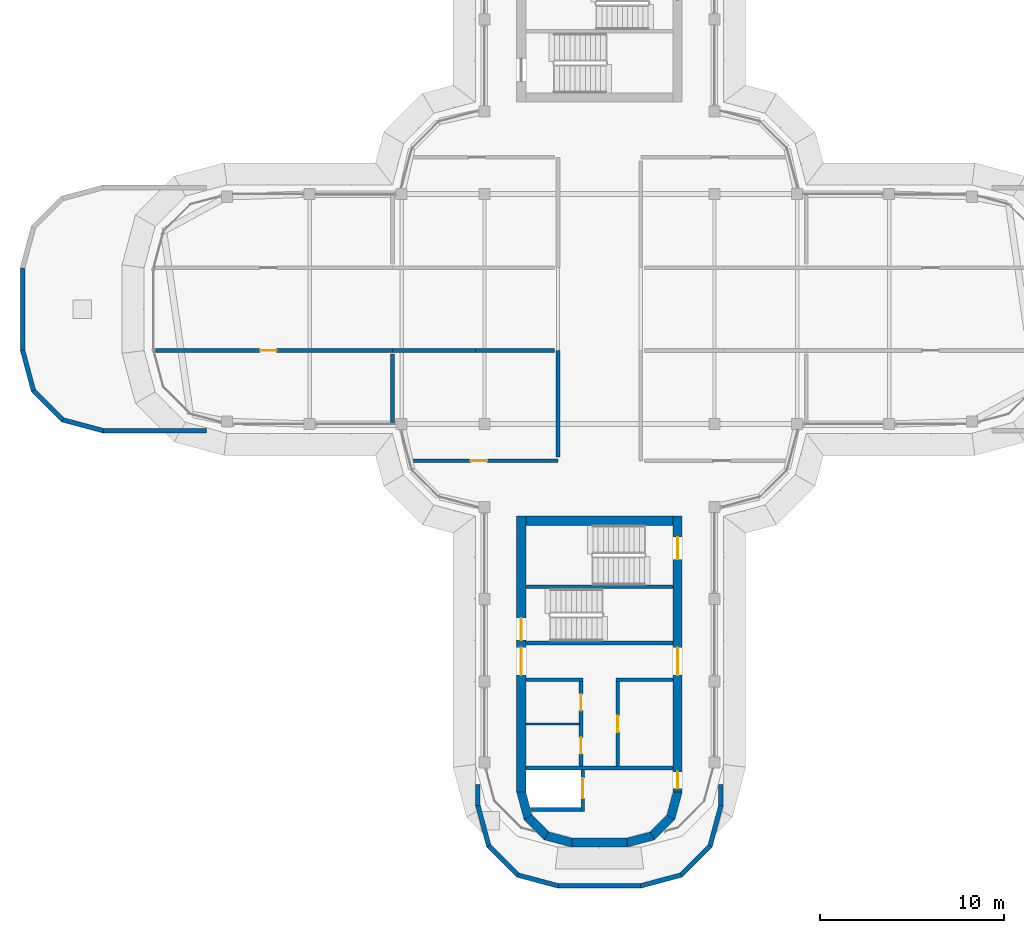
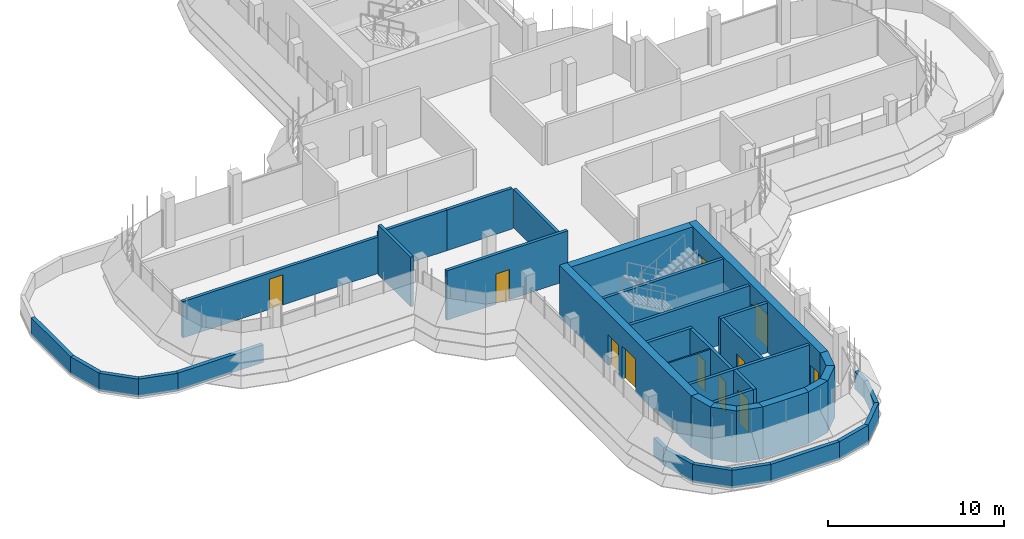
# One storey, part 13 of 20: 40 walls, 11 doors, 11 openings.
"""IFC4 building model written with IfcOpenShell, lengths in metres."""

from ifc_helpers import new_model, si_unit, direction, frame, frame_2d, origin, place, context, subcontext, project, spatial, polyline, rectangle, outline, extrude, material, layer, layer_set, type_object, element, fill, save


model = new_model("IFC4")

# Units and contexts
model_context = context("Model", 3, precision=1e-05, world=origin(), true_north=direction((0.0, 1.0)))
body_context = subcontext(model_context, "Body", "Model", "MODEL_VIEW")
ifc_project = project(units=[si_unit("LENGTHUNIT", "METRE"), si_unit("AREAUNIT", "SQUARE_METRE"), si_unit("VOLUMEUNIT", "CUBIC_METRE"), si_unit("PLANEANGLEUNIT", "RADIAN"), si_unit("MASSUNIT", "GRAM", prefix="KILO")], contexts=[model_context])

# Site, building, storey
site_placement = place(None, origin())
site = spatial("IfcSite", under=ifc_project, at=site_placement, CompositionType="ELEMENT")
building_placement = place(site_placement, origin())
building = spatial("IfcBuilding", under=site, at=building_placement, Name="Zarbagh Exchange Tower", CompositionType="ELEMENT")
storey_placement = place(building_placement, frame((0.0, 0.0, 291.60009765625)))
storey = spatial("IfcBuildingStorey", under=building, at=storey_placement, Name="L71", CompositionType="ELEMENT", Elevation=291.60009765625)

# Wall
ifc_material_1 = material(Name="Dense blockwork", Category="masonry")
ifc_layer_1 = layer(ifc_material_1, 0.10009765625)
ifc_layer_set_1 = layer_set([ifc_layer_1], Name="Core partition 100 mm blockwork")
wall_type_1 = type_object("IfcWallType", Name="Core partition 100 mm blockwork", PredefinedType="PARTITIONING", material=ifc_layer_set_1)
wall_1_placement = place(storey_placement, frame((-1.10009765625, -22.550048828125, 0.0), z_axis=(0.0, 0.0, 1.0), x_axis=(-1.0, 0.0, 0.0)))
element("IfcWall", 1, at=wall_1_placement, inside=storey, type_object=wall_type_1, Name="South core partition wall CUT-E-580", PredefinedType="PARTITIONING", context=body_context, shape_type="SweptSolid", body=[
    extrude(rectangle(XDim=2.89990234375, YDim=0.10009765625, at=frame_2d((1.449951171875, 0.0))), origin(), (0.0, 0.0, 1.0), 3.449951171875),
])

# Wall, opening, door
ifc_material_2 = material(Name="Concrete block partition", Category="concrete")
ifc_layer_2 = layer(ifc_material_2, 0.199951171875)
ifc_layer_set_2 = layer_set([ifc_layer_2], Name="Fire-rated block partition 200 EI 60")
wall_type_2 = type_object("IfcWallType", Name="Fire-rated block partition 200 EI 60", PredefinedType="PARTITIONING", material=ifc_layer_set_2)
wall_2_placement = place(storey_placement, frame((-10.238037109375, -8.25, 0.0), z_axis=(0.0, 0.0, 1.0), x_axis=(1.0, 0.0, 0.0)))
wall_2 = element("IfcWall", 2, at=wall_2_placement, inside=storey, type_object=wall_type_2, Name="WL-L71-W007", PredefinedType="PARTITIONING", context=body_context, shape_type="SweptSolid", body=[
    extrude(rectangle(XDim=7.988037109375, YDim=0.199951171875, at=frame_2d((3.994140625, 0.0))), origin(), (0.0, 0.0, 1.0), 3.449951171875),
])
opening_1_placement = place(wall_2_placement, frame((3.239013671875, 0.0, 0.0)))
opening_1 = element("IfcOpeningElement", 3, at=opening_1_placement, cuts=wall_2, Name="Opening D04", PredefinedType="OPENING", context=body_context, shape_type="SweptSolid", body=[
    extrude(rectangle(XDim=0.89990234375, YDim=2.10009765625, at=frame_2d((0.449951171875, 1.050048828125))), frame((0.0, 0.10986328125, 0.0), z_axis=(0.0, -1.0, 0.0), x_axis=(1.0, 0.0, 0.0)), (0.0, 0.0, 1.0), 0.219970703125),
])
ifc_material_3 = material(Name="Steel door set", Category="steel")
door_type_1 = type_object("IfcDoorType", Name="Door single 900x2100 EI 60", OperationType="SINGLE_SWING_LEFT", PredefinedType="DOOR", material=ifc_material_3)
door_1_placement = place(opening_1_placement, origin())
door_1 = element("IfcDoor", 4, at=door_1_placement, inside=storey, type_object=door_type_1, Name="D04", OperationType="SINGLE_SWING_LEFT", OverallHeight=2.10009765625, OverallWidth=0.89990234375, PredefinedType="DOOR", context=body_context, shape_type="SweptSolid", body=[
    extrude(rectangle(XDim=0.89990234375, YDim=2.10009765625, at=frame_2d((0.449951171875, 1.050048828125))), frame((0.0, 0.02490234375, 0.0), z_axis=(0.0, -1.0, 0.0), x_axis=(1.0, 0.0, 0.0)), (0.0, 0.0, 1.0), 0.050048828125),
])
fill(opening_1, door_1)

# Walls
wall_3_placement = place(storey_placement, frame((-2.25, -8.050048828125, 0.0), z_axis=(0.0, 0.0, 1.0), x_axis=(0.0, 1.0, 0.0)))
element("IfcWall", 5, at=wall_3_placement, inside=storey, type_object=wall_type_2, Name="WL-L71-W008", PredefinedType="PARTITIONING", context=body_context, shape_type="SweptSolid", body=[
    extrude(rectangle(XDim=5.800048828125, YDim=0.199951171875, at=frame_2d((2.89990234375, 0.0))), origin(), (0.0, 0.0, 1.0), 2.6806640625),
])
wall_4_placement = place(storey_placement, frame((-11.25, -2.25, 0.0), z_axis=(0.0, 0.0, 1.0), x_axis=(1.0, 0.0, 0.0)))
element("IfcWall", 6, at=wall_4_placement, inside=storey, type_object=wall_type_2, Name="WL-L71-W018", PredefinedType="PARTITIONING", context=body_context, shape_type="SweptSolid", body=[
    extrude(rectangle(XDim=4.5, YDim=0.199951171875, at=frame_2d((2.25, 0.0))), origin(), (0.0, 0.0, 1.0), 2.827880859375),
])
wall_5_placement = place(storey_placement, frame((-11.25, -6.159912109375, 0.0), z_axis=(0.0, 0.0, 1.0), x_axis=(0.0, 1.0, 0.0)))
element("IfcWall", 7, at=wall_5_placement, inside=storey, type_object=wall_type_2, Name="WL-L71-W019", PredefinedType="PARTITIONING", context=body_context, shape_type="SweptSolid", body=[
    extrude(rectangle(XDim=3.7099609375, YDim=0.199951171875, at=frame_2d((1.85498046875, 0.0))), origin(), (0.0, 0.0, 1.0), 3.449951171875),
])
wall_6_placement = place(storey_placement, frame((-6.75, -2.25, 0.0), z_axis=(0.0, 0.0, 1.0), x_axis=(1.0, 0.0, 0.0)))
element("IfcWall", 8, at=wall_6_placement, inside=storey, type_object=wall_type_2, Name="WL-L71-W020", PredefinedType="PARTITIONING", context=body_context, shape_type="SweptSolid", body=[
    extrude(rectangle(XDim=4.300048828125, YDim=0.199951171875, at=frame_2d((2.14990234375, 0.0))), origin(), (0.0, 0.0, 1.0), 2.827880859375),
])

# Wall, opening, door
wall_7_placement = place(storey_placement, frame((-11.25, -2.25, 0.0), z_axis=(0.0, 0.0, 1.0), x_axis=(-1.0, 0.0, 0.0)))
wall_7 = element("IfcWall", 9, at=wall_7_placement, inside=storey, type_object=wall_type_2, Name="WL-L71-W024", PredefinedType="PARTITIONING", context=body_context, shape_type="SweptSolid", body=[
    extrude(rectangle(XDim=12.889892578125, YDim=0.199951171875, at=frame_2d((6.44482421875, 0.0))), origin(), (0.0, 0.0, 1.0), 2.52978515625),
])
opening_2_placement = place(wall_7_placement, frame((6.300048828125, 0.0, 0.0)))
opening_2 = element("IfcOpeningElement", 10, at=opening_2_placement, cuts=wall_7, Name="Opening D08", PredefinedType="OPENING", context=body_context, shape_type="SweptSolid", body=[
    extrude(rectangle(XDim=0.89990234375, YDim=2.10009765625, at=frame_2d((0.449951171875, 1.050048828125))), frame((0.0, 0.10986328125, 0.0), z_axis=(0.0, -1.0, 0.0), x_axis=(1.0, 0.0, 0.0)), (0.0, 0.0, 1.0), 0.219970703125),
])
door_2_placement = place(opening_2_placement, origin())
door_2 = element("IfcDoor", 11, at=door_2_placement, inside=storey, type_object=door_type_1, Name="D08", OperationType="SINGLE_SWING_LEFT", OverallHeight=2.10009765625, OverallWidth=0.89990234375, PredefinedType="DOOR", context=body_context, shape_type="SweptSolid", body=[
    extrude(rectangle(XDim=0.89990234375, YDim=2.10009765625, at=frame_2d((0.449951171875, 1.050048828125))), frame((0.0, 0.02490234375, 0.0), z_axis=(0.0, -1.0, 0.0), x_axis=(1.0, 0.0, 0.0)), (0.0, 0.0, 1.0), 0.050048828125),
])
fill(opening_2, door_2)

# Walls
ifc_material_4 = material(Name="Concrete C40/50", Category="concrete")
ifc_layer_3 = layer(ifc_material_4, 0.25)
ifc_layer_set_3 = layer_set([ifc_layer_3], Name="Parapet wall, concrete C40/50")
wall_type_3 = type_object("IfcWallType", Name="Parapet wall, concrete C40/50", PredefinedType="PARAPET", material=ifc_layer_set_3)
wall_8_placement = place(storey_placement, origin())
element("IfcWall", 12, at=wall_8_placement, inside=storey, type_object=wall_type_3, Name="roof parapet", PredefinedType="PARAPET", context=body_context, shape_type="SweptSolid", body=[
    extrude(outline(polyline([(6.72998046875, -25.851318359375), (6.72998046875, -26.997314453125), (6.47998046875, -26.964599609375), (6.47998046875, -25.851318359375), (6.72998046875, -25.851318359375)])), origin(), (0.0, 0.0, 1.0), 1.219970703125),
])
wall_9_placement = place(storey_placement, origin())
element("IfcWall", 13, at=wall_9_placement, inside=storey, type_object=wall_type_3, Name="roof parapet", PredefinedType="PARAPET", context=body_context, shape_type="SweptSolid", body=[
    extrude(outline(polyline([(6.72998046875, -26.997314453125), (6.129150390625, -29.239501953125), (5.905029296875, -29.110107421875), (6.47998046875, -26.964599609375), (6.72998046875, -26.997314453125)])), origin(), (0.0, 0.0, 1.0), 1.219970703125),
])
wall_10_placement = place(storey_placement, origin())
element("IfcWall", 14, at=wall_10_placement, inside=storey, type_object=wall_type_3, Name="roof parapet", PredefinedType="PARAPET", context=body_context, shape_type="SweptSolid", body=[
    extrude(outline(polyline([(6.129150390625, -29.239501953125), (4.489501953125, -30.879150390625), (4.360107421875, -30.655029296875), (5.905029296875, -29.110107421875), (6.129150390625, -29.239501953125)])), origin(), (0.0, 0.0, 1.0), 1.219970703125),
])
wall_11_placement = place(storey_placement, origin())
element("IfcWall", 15, at=wall_11_placement, inside=storey, type_object=wall_type_3, Name="roof parapet", PredefinedType="PARAPET", context=body_context, shape_type="SweptSolid", body=[
    extrude(outline(polyline([(4.489501953125, -30.879150390625), (2.247314453125, -31.47998046875), (2.214599609375, -31.22998046875), (4.360107421875, -30.655029296875), (4.489501953125, -30.879150390625)])), origin(), (0.0, 0.0, 1.0), 1.219970703125),
])
wall_12_placement = place(storey_placement, origin())
element("IfcWall", 16, at=wall_12_placement, inside=storey, type_object=wall_type_3, Name="roof parapet", PredefinedType="PARAPET", context=body_context, shape_type="SweptSolid", body=[
    extrude(outline(polyline([(2.247314453125, -31.47998046875), (-2.247314453125, -31.47998046875), (-2.214599609375, -31.22998046875), (2.214599609375, -31.22998046875), (2.247314453125, -31.47998046875)])), origin(), (0.0, 0.0, 1.0), 1.219970703125),
])
wall_13_placement = place(storey_placement, origin())
element("IfcWall", 17, at=wall_13_placement, inside=storey, type_object=wall_type_3, Name="roof parapet", PredefinedType="PARAPET", context=body_context, shape_type="SweptSolid", body=[
    extrude(outline(polyline([(-2.247314453125, -31.47998046875), (-4.489501953125, -30.879150390625), (-4.360107421875, -30.655029296875), (-2.214599609375, -31.22998046875), (-2.247314453125, -31.47998046875)])), origin(), (0.0, 0.0, 1.0), 1.219970703125),
])
wall_14_placement = place(storey_placement, origin())
element("IfcWall", 18, at=wall_14_placement, inside=storey, type_object=wall_type_3, Name="roof parapet", PredefinedType="PARAPET", context=body_context, shape_type="SweptSolid", body=[
    extrude(outline(polyline([(-4.489501953125, -30.879150390625), (-6.129150390625, -29.239501953125), (-5.905029296875, -29.110107421875), (-4.360107421875, -30.655029296875), (-4.489501953125, -30.879150390625)])), origin(), (0.0, 0.0, 1.0), 1.219970703125),
])
wall_15_placement = place(storey_placement, origin())
element("IfcWall", 19, at=wall_15_placement, inside=storey, type_object=wall_type_3, Name="roof parapet", PredefinedType="PARAPET", context=body_context, shape_type="SweptSolid", body=[
    extrude(outline(polyline([(-6.129150390625, -29.239501953125), (-6.72998046875, -26.997314453125), (-6.47998046875, -26.964599609375), (-5.905029296875, -29.110107421875), (-6.129150390625, -29.239501953125)])), origin(), (0.0, 0.0, 1.0), 1.219970703125),
])
wall_16_placement = place(storey_placement, origin())
element("IfcWall", 20, at=wall_16_placement, inside=storey, type_object=wall_type_3, Name="roof parapet", PredefinedType="PARAPET", context=body_context, shape_type="SweptSolid", body=[
    extrude(outline(polyline([(-6.72998046875, -26.997314453125), (-6.72998046875, -25.851318359375), (-6.47998046875, -25.851318359375), (-6.47998046875, -26.964599609375), (-6.72998046875, -26.997314453125)])), origin(), (0.0, 0.0, 1.0), 1.219970703125),
])
wall_17_placement = place(storey_placement, origin())
element("IfcWall", 21, at=wall_17_placement, inside=storey, type_object=wall_type_3, Name="roof parapet", PredefinedType="PARAPET", context=body_context, shape_type="SweptSolid", body=[
    extrude(outline(polyline([(-21.351318359375, -6.72998046875), (-26.997314453125, -6.72998046875), (-26.964599609375, -6.47998046875), (-21.351318359375, -6.47998046875), (-21.351318359375, -6.72998046875)])), origin(), (0.0, 0.0, 1.0), 1.219970703125),
])
wall_18_placement = place(storey_placement, origin())
element("IfcWall", 22, at=wall_18_placement, inside=storey, type_object=wall_type_3, Name="roof parapet", PredefinedType="PARAPET", context=body_context, shape_type="SweptSolid", body=[
    extrude(outline(polyline([(-26.997314453125, -6.72998046875), (-29.239501953125, -6.129150390625), (-29.110107421875, -5.905029296875), (-26.964599609375, -6.47998046875), (-26.997314453125, -6.72998046875)])), origin(), (0.0, 0.0, 1.0), 1.219970703125),
])
wall_19_placement = place(storey_placement, origin())
element("IfcWall", 23, at=wall_19_placement, inside=storey, type_object=wall_type_3, Name="roof parapet", PredefinedType="PARAPET", context=body_context, shape_type="SweptSolid", body=[
    extrude(outline(polyline([(-29.239501953125, -6.129150390625), (-30.879150390625, -4.489501953125), (-30.655029296875, -4.360107421875), (-29.110107421875, -5.905029296875), (-29.239501953125, -6.129150390625)])), origin(), (0.0, 0.0, 1.0), 1.219970703125),
])
wall_20_placement = place(storey_placement, origin())
element("IfcWall", 24, at=wall_20_placement, inside=storey, type_object=wall_type_3, Name="roof parapet", PredefinedType="PARAPET", context=body_context, shape_type="SweptSolid", body=[
    extrude(outline(polyline([(-30.879150390625, -4.489501953125), (-31.47998046875, -2.247314453125), (-31.22998046875, -2.214599609375), (-30.655029296875, -4.360107421875), (-30.879150390625, -4.489501953125)])), origin(), (0.0, 0.0, 1.0), 1.219970703125),
])
wall_21_placement = place(storey_placement, origin())
element("IfcWall", 25, at=wall_21_placement, inside=storey, type_object=wall_type_3, Name="roof parapet", PredefinedType="PARAPET", context=body_context, shape_type="SweptSolid", body=[
    extrude(outline(polyline([(-31.47998046875, -2.247314453125), (-31.47998046875, 2.247314453125), (-31.22998046875, 2.214599609375), (-31.22998046875, -2.214599609375), (-31.47998046875, -2.247314453125)])), origin(), (0.0, 0.0, 1.0), 1.219970703125),
])
ifc_layer_4 = layer(ifc_material_4, 0.5)
ifc_layer_set_4 = layer_set([ifc_layer_4], Name="RC core corner wall 500 C40/50")
wall_type_4 = type_object("IfcWallType", Name="RC core corner wall 500 C40/50", PredefinedType="SHEAR", material=ifc_layer_set_4)
wall_22_placement = place(storey_placement, origin())
element("IfcWall", 26, at=wall_22_placement, inside=storey, type_object=wall_type_4, Name="CW10 core S corner W", PredefinedType="SHEAR", context=body_context, shape_type="SweptSolid", body=[
    extrude(outline(polyline([(-4.5, -26.25), (-4.09814453125, -27.75), (-3.6650390625, -27.5), (-4.0, -26.25), (-4.5, -26.25)])), origin(), (0.0, 0.0, 1.0), 3.599853515625),
])
wall_23_placement = place(storey_placement, origin())
element("IfcWall", 27, at=wall_23_placement, inside=storey, type_object=wall_type_4, Name="CW10 core S corner W", PredefinedType="SHEAR", context=body_context, shape_type="SweptSolid", body=[
    extrude(outline(polyline([(-4.09814453125, -27.75), (-3.0, -28.84814453125), (-2.75, -28.4150390625), (-3.6650390625, -27.5), (-4.09814453125, -27.75)])), origin(), (0.0, 0.0, 1.0), 3.599853515625),
])
wall_24_placement = place(storey_placement, origin())
element("IfcWall", 28, at=wall_24_placement, inside=storey, type_object=wall_type_4, Name="CW10 core S corner W", PredefinedType="SHEAR", context=body_context, shape_type="SweptSolid", body=[
    extrude(outline(polyline([(-3.0, -28.84814453125), (-1.5, -29.25), (-1.5, -28.75), (-2.75, -28.4150390625), (-3.0, -28.84814453125)])), origin(), (0.0, 0.0, 1.0), 3.599853515625),
])
wall_25_placement = place(storey_placement, origin())
element("IfcWall", 29, at=wall_25_placement, inside=storey, type_object=wall_type_4, Name="CW10 core S corner E", PredefinedType="SHEAR", context=body_context, shape_type="SweptSolid", body=[
    extrude(outline(polyline([(4.5, -26.25), (4.09814453125, -27.75), (3.6650390625, -27.5), (4.0, -26.25), (4.5, -26.25)])), origin(), (0.0, 0.0, 1.0), 3.599853515625),
])
wall_26_placement = place(storey_placement, origin())
element("IfcWall", 30, at=wall_26_placement, inside=storey, type_object=wall_type_4, Name="CW10 core S corner E", PredefinedType="SHEAR", context=body_context, shape_type="SweptSolid", body=[
    extrude(outline(polyline([(4.09814453125, -27.75), (3.0, -28.84814453125), (2.75, -28.4150390625), (3.6650390625, -27.5), (4.09814453125, -27.75)])), origin(), (0.0, 0.0, 1.0), 3.599853515625),
])
wall_27_placement = place(storey_placement, origin())
element("IfcWall", 31, at=wall_27_placement, inside=storey, type_object=wall_type_4, Name="CW10 core S corner E", PredefinedType="SHEAR", context=body_context, shape_type="SweptSolid", body=[
    extrude(outline(polyline([(3.0, -28.84814453125), (1.5, -29.25), (1.5, -28.75), (2.75, -28.4150390625), (3.0, -28.84814453125)])), origin(), (0.0, 0.0, 1.0), 3.599853515625),
])

# Wall, openings, doors
ifc_layer_5 = layer(ifc_material_4, 0.5)
ifc_layer_set_5 = layer_set([ifc_layer_5], Name="RC core wall 500 C40/50")
wall_type_5 = type_object("IfcWallType", Name="RC core wall 500 C40/50", PredefinedType="SHEAR", material=ifc_layer_set_5)
wall_28_placement = place(storey_placement, frame((-4.25, -11.25, 0.0), z_axis=(0.0, 0.0, 1.0), x_axis=(0.0, -1.0, 0.0)))
wall_28 = element("IfcWall", 32, at=wall_28_placement, inside=storey, type_object=wall_type_5, Name="CW9 core S W", PredefinedType="SHEAR", context=body_context, shape_type="SweptSolid", body=[
    extrude(rectangle(XDim=15.0, YDim=0.5, at=frame_2d((7.5, 0.0))), origin(), (0.0, 0.0, 1.0), 3.599853515625),
])
opening_3_placement = place(wall_28_placement, frame((7.14990234375, 0.0, 0.0)))
opening_3 = element("IfcOpeningElement", 33, at=opening_3_placement, cuts=wall_28, Name="Opening CD1-1500", PredefinedType="OPENING", context=body_context, shape_type="SweptSolid", body=[
    extrude(rectangle(XDim=1.5, YDim=2.300048828125, at=frame_2d((0.75, 1.14990234375))), frame((0.0, 0.260009765625, 0.0), z_axis=(0.0, -1.0, 0.0), x_axis=(1.0, 0.0, 0.0)), (0.0, 0.0, 1.0), 0.52001953125),
])
opening_4_placement = place(wall_28_placement, frame((5.550048828125, 0.0, 0.0)))
opening_4 = element("IfcOpeningElement", 34, at=opening_4_placement, cuts=wall_28, Name="Opening SD1-1200", PredefinedType="OPENING", context=body_context, shape_type="SweptSolid", body=[
    extrude(rectangle(XDim=1.199951171875, YDim=2.10009765625, at=frame_2d((0.60009765625, 1.050048828125))), frame((0.0, 0.260009765625, 0.0), z_axis=(0.0, -1.0, 0.0), x_axis=(1.0, 0.0, 0.0)), (0.0, 0.0, 1.0), 0.52001953125),
])
ifc_material_5 = material(Name="Steel", Category="steel")
door_type_2 = type_object("IfcDoorType", Name="Exit stair door 1200 x 2100", OperationType="NOTDEFINED", PredefinedType="DOOR", material=ifc_material_5)
door_3_placement = place(opening_4_placement, origin())
door_3 = element("IfcDoor", 35, at=door_3_placement, inside=storey, type_object=door_type_2, Name="South core stair door ST1", OperationType="SINGLE_SWING_LEFT", OverallHeight=2.10009765625, OverallWidth=1.199951171875, PredefinedType="DOOR", context=body_context, shape_type="SweptSolid", body=[
    extrude(rectangle(XDim=1.199951171875, YDim=2.10009765625, at=frame_2d((0.60009765625, 1.050048828125))), frame((0.0, 0.02490234375, 0.0), z_axis=(0.0, -1.0, 0.0), x_axis=(1.0, 0.0, 0.0)), (0.0, 0.0, 1.0), 0.050048828125),
])
fill(opening_4, door_3)
door_type_3 = type_object("IfcDoorType", Name="Lift lobby double door 1500 x 2300", OperationType="NOTDEFINED", PredefinedType="DOOR", material=ifc_material_5)
door_4_placement = place(opening_3_placement, origin())
door_4 = element("IfcDoor", 36, at=door_4_placement, inside=storey, type_object=door_type_3, Name="South core lift lobby door LOBBY-E", OperationType="DOUBLE_DOOR_SINGLE_SWING", OverallHeight=2.300048828125, OverallWidth=1.5, PredefinedType="DOOR", context=body_context, shape_type="SweptSolid", body=[
    extrude(rectangle(XDim=1.5, YDim=2.300048828125, at=frame_2d((0.75, 1.14990234375))), frame((0.0, 0.02490234375, 0.0), z_axis=(0.0, -1.0, 0.0), x_axis=(1.0, 0.0, 0.0)), (0.0, 0.0, 1.0), 0.050048828125),
])
fill(opening_3, door_4)

wall_29_placement = place(storey_placement, frame((4.25, -11.25, 0.0), z_axis=(0.0, 0.0, 1.0), x_axis=(0.0, -1.0, 0.0)))
wall_29 = element("IfcWall", 37, at=wall_29_placement, inside=storey, type_object=wall_type_5, Name="CW9 core S E", PredefinedType="SHEAR", context=body_context, shape_type="SweptSolid", body=[
    extrude(rectangle(XDim=15.0, YDim=0.5, at=frame_2d((7.5, 0.0))), origin(), (0.0, 0.0, 1.0), 3.599853515625),
])
opening_5_placement = place(wall_29_placement, frame((7.14990234375, 0.0, 0.0)))
opening_5 = element("IfcOpeningElement", 38, at=opening_5_placement, cuts=wall_29, Name="Opening CD1-1500", PredefinedType="OPENING", context=body_context, shape_type="SweptSolid", body=[
    extrude(rectangle(XDim=1.5, YDim=2.300048828125, at=frame_2d((0.75, 1.14990234375))), frame((0.0, 0.260009765625, 0.0), z_axis=(0.0, -1.0, 0.0), x_axis=(1.0, 0.0, 0.0)), (0.0, 0.0, 1.0), 0.52001953125),
])
opening_6_placement = place(wall_29_placement, frame((13.89990234375, 0.0, 0.0)))
opening_6 = element("IfcOpeningElement", 39, at=opening_6_placement, cuts=wall_29, Name="Opening CD2-900", PredefinedType="OPENING", context=body_context, shape_type="SweptSolid", body=[
    extrude(rectangle(XDim=0.89990234375, YDim=2.10009765625, at=frame_2d((0.449951171875, 1.050048828125))), frame((0.0, 0.260009765625, 0.0), z_axis=(0.0, -1.0, 0.0), x_axis=(1.0, 0.0, 0.0)), (0.0, 0.0, 1.0), 0.52001953125),
])
opening_7_placement = place(wall_29_placement, frame((1.14990234375, 0.0, 0.0)))
opening_7 = element("IfcOpeningElement", 40, at=opening_7_placement, cuts=wall_29, Name="Opening SD1-1200", PredefinedType="OPENING", context=body_context, shape_type="SweptSolid", body=[
    extrude(rectangle(XDim=1.199951171875, YDim=2.10009765625, at=frame_2d((0.60009765625, 1.050048828125))), frame((0.0, 0.260009765625, 0.0), z_axis=(0.0, -1.0, 0.0), x_axis=(1.0, 0.0, 0.0)), (0.0, 0.0, 1.0), 0.52001953125),
])
door_5_placement = place(opening_7_placement, origin())
door_5 = element("IfcDoor", 41, at=door_5_placement, inside=storey, type_object=door_type_2, Name="South core stair door ST2", OperationType="SINGLE_SWING_LEFT", OverallHeight=2.10009765625, OverallWidth=1.199951171875, PredefinedType="DOOR", context=body_context, shape_type="SweptSolid", body=[
    extrude(rectangle(XDim=1.199951171875, YDim=2.10009765625, at=frame_2d((0.60009765625, 1.050048828125))), frame((0.0, 0.02490234375, 0.0), z_axis=(0.0, -1.0, 0.0), x_axis=(1.0, 0.0, 0.0)), (0.0, 0.0, 1.0), 0.050048828125),
])
fill(opening_7, door_5)
door_type_4 = type_object("IfcDoorType", Name="Firefighting lobby door 900 x 2100", OperationType="NOTDEFINED", PredefinedType="DOOR", material=ifc_material_5)
door_6_placement = place(opening_6_placement, origin())
door_6 = element("IfcDoor", 42, at=door_6_placement, inside=storey, type_object=door_type_4, Name="South core firefighting lobby door FF-W", OperationType="SINGLE_SWING_RIGHT", OverallHeight=2.10009765625, OverallWidth=0.89990234375, PredefinedType="DOOR", context=body_context, shape_type="SweptSolid", body=[
    extrude(rectangle(XDim=0.89990234375, YDim=2.10009765625, at=frame_2d((0.449951171875, 1.050048828125))), frame((0.0, 0.02490234375, 0.0), z_axis=(0.0, -1.0, 0.0), x_axis=(1.0, 0.0, 0.0)), (0.0, 0.0, 1.0), 0.050048828125),
])
fill(opening_6, door_6)
door_7_placement = place(opening_5_placement, origin())
door_7 = element("IfcDoor", 43, at=door_7_placement, inside=storey, type_object=door_type_3, Name="South core lift lobby door LOBBY-W", OperationType="DOUBLE_DOOR_SINGLE_SWING", OverallHeight=2.300048828125, OverallWidth=1.5, PredefinedType="DOOR", context=body_context, shape_type="SweptSolid", body=[
    extrude(rectangle(XDim=1.5, YDim=2.300048828125, at=frame_2d((0.75, 1.14990234375))), frame((0.0, 0.02490234375, 0.0), z_axis=(0.0, -1.0, 0.0), x_axis=(1.0, 0.0, 0.0)), (0.0, 0.0, 1.0), 0.050048828125),
])
fill(opening_5, door_7)

# Walls
wall_30_placement = place(storey_placement, frame((-4.0, -11.5, 0.0), z_axis=(0.0, 0.0, 1.0), x_axis=(1.0, 0.0, 0.0)))
element("IfcWall", 44, at=wall_30_placement, inside=storey, type_object=wall_type_5, Name="CW9 core S inner end", PredefinedType="SHEAR", context=body_context, shape_type="SweptSolid", body=[
    extrude(rectangle(XDim=8.0, YDim=0.5, at=frame_2d((4.0, 0.0))), origin(), (0.0, 0.0, 1.0), 3.599853515625),
])
wall_31_placement = place(storey_placement, frame((-1.5, -29.0, 0.0), z_axis=(0.0, 0.0, 1.0), x_axis=(1.0, 0.0, 0.0)))
element("IfcWall", 45, at=wall_31_placement, inside=storey, type_object=wall_type_5, Name="CW9 core S outer end", PredefinedType="SHEAR", context=body_context, shape_type="SweptSolid", body=[
    extrude(rectangle(XDim=3.0, YDim=0.5, at=frame_2d((1.5, 0.0))), origin(), (0.0, 0.0, 1.0), 3.599853515625),
])
ifc_layer_6 = layer(ifc_material_1, 0.199951171875)
ifc_layer_set_6 = layer_set([ifc_layer_6], Name="Shaft wall 200 mm blockwork")
wall_type_6 = type_object("IfcWallType", Name="Shaft wall 200 mm blockwork", PredefinedType="PARTITIONING", material=ifc_layer_set_6)
wall_32_placement = place(storey_placement, frame((4.0, -20.14990234375, 0.0), z_axis=(0.0, 0.0, 1.0), x_axis=(-1.0, 0.0, 0.0)))
element("IfcWall", 46, at=wall_32_placement, inside=storey, type_object=wall_type_6, Name="South core shaft wall AB-W", PredefinedType="PARTITIONING", context=body_context, shape_type="SweptSolid", body=[
    extrude(rectangle(XDim=3.10009765625, YDim=0.199951171875, at=frame_2d((1.550048828125, 0.0))), origin(), (0.0, 0.0, 1.0), 3.449951171875),
])

# Wall, opening, door
wall_33_placement = place(storey_placement, frame((1.0, -24.85009765625, 0.0), z_axis=(0.0, 0.0, 1.0), x_axis=(0.0, 1.0, 0.0)))
wall_33 = element("IfcWall", 47, at=wall_33_placement, inside=storey, type_object=wall_type_6, Name="South core shaft wall LW-W", PredefinedType="PARTITIONING", context=body_context, shape_type="SweptSolid", body=[
    extrude(rectangle(XDim=4.60009765625, YDim=0.199951171875, at=frame_2d((2.300048828125, 0.0))), origin(), (0.0, 0.0, 1.0), 3.449951171875),
])
opening_8_placement = place(wall_33_placement, frame((1.85009765625, 0.0, 0.0)))
opening_8 = element("IfcOpeningElement", 48, at=opening_8_placement, cuts=wall_33, Name="Opening CD3-900", PredefinedType="OPENING", context=body_context, shape_type="SweptSolid", body=[
    extrude(rectangle(XDim=0.89990234375, YDim=2.10009765625, at=frame_2d((0.449951171875, 1.050048828125))), frame((0.0, 0.10986328125, 0.0), z_axis=(0.0, -1.0, 0.0), x_axis=(1.0, 0.0, 0.0)), (0.0, 0.0, 1.0), 0.219970703125),
])
door_type_5 = type_object("IfcDoorType", Name="Core room door 900 x 2100", OperationType="NOTDEFINED", PredefinedType="DOOR", material=ifc_material_5)
door_8_placement = place(opening_8_placement, origin())
door_8 = element("IfcDoor", 49, at=door_8_placement, inside=storey, type_object=door_type_5, Name="South core Plant room door RD-W-0", OperationType="SINGLE_SWING_RIGHT", OverallHeight=2.10009765625, OverallWidth=0.89990234375, PredefinedType="DOOR", context=body_context, shape_type="SweptSolid", body=[
    extrude(rectangle(XDim=0.89990234375, YDim=2.10009765625, at=frame_2d((0.449951171875, 1.050048828125))), frame((0.0, 0.02490234375, 0.0), z_axis=(0.0, -1.0, 0.0), x_axis=(1.0, 0.0, 0.0)), (0.0, 0.0, 1.0), 0.050048828125),
])
fill(opening_8, door_8)

# Wall
wall_34_placement = place(storey_placement, frame((-0.89990234375, -20.14990234375, 0.0), z_axis=(0.0, 0.0, 1.0), x_axis=(-1.0, 0.0, 0.0)))
element("IfcWall", 50, at=wall_34_placement, inside=storey, type_object=wall_type_6, Name="South core shaft wall AB-E", PredefinedType="PARTITIONING", context=body_context, shape_type="SweptSolid", body=[
    extrude(rectangle(XDim=3.10009765625, YDim=0.199951171875, at=frame_2d((1.550048828125, 0.0))), origin(), (0.0, 0.0, 1.0), 3.449951171875),
])

# Wall, openings, doors
wall_35_placement = place(storey_placement, frame((-1.0, -24.85009765625, 0.0), z_axis=(0.0, 0.0, 1.0), x_axis=(0.0, 1.0, 0.0)))
wall_35 = element("IfcWall", 51, at=wall_35_placement, inside=storey, type_object=wall_type_6, Name="South core shaft wall LW-E", PredefinedType="PARTITIONING", context=body_context, shape_type="SweptSolid", body=[
    extrude(rectangle(XDim=4.60009765625, YDim=0.199951171875, at=frame_2d((2.300048828125, 0.0))), origin(), (0.0, 0.0, 1.0), 3.449951171875),
])
opening_9_placement = place(wall_35_placement, frame((0.675048828125, 0.0, 0.0)))
opening_9 = element("IfcOpeningElement", 52, at=opening_9_placement, cuts=wall_35, Name="Opening CD3-900", PredefinedType="OPENING", context=body_context, shape_type="SweptSolid", body=[
    extrude(rectangle(XDim=0.89990234375, YDim=2.10009765625, at=frame_2d((0.449951171875, 1.050048828125))), frame((0.0, 0.10986328125, 0.0), z_axis=(0.0, -1.0, 0.0), x_axis=(1.0, 0.0, 0.0)), (0.0, 0.0, 1.0), 0.219970703125),
])
opening_10_placement = place(wall_35_placement, frame((3.02490234375, 0.0, 0.0)))
opening_10 = element("IfcOpeningElement", 53, at=opening_10_placement, cuts=wall_35, Name="Opening CD3-900", PredefinedType="OPENING", context=body_context, shape_type="SweptSolid", body=[
    extrude(rectangle(XDim=0.89990234375, YDim=2.10009765625, at=frame_2d((0.449951171875, 1.050048828125))), frame((0.0, 0.10986328125, 0.0), z_axis=(0.0, -1.0, 0.0), x_axis=(1.0, 0.0, 0.0)), (0.0, 0.0, 1.0), 0.219970703125),
])
door_9_placement = place(opening_9_placement, origin())
door_9 = element("IfcDoor", 54, at=door_9_placement, inside=storey, type_object=door_type_5, Name="South core Plant room door RD-E-0", OperationType="SINGLE_SWING_LEFT", OverallHeight=2.10009765625, OverallWidth=0.89990234375, PredefinedType="DOOR", context=body_context, shape_type="SweptSolid", body=[
    extrude(rectangle(XDim=0.89990234375, YDim=2.10009765625, at=frame_2d((0.449951171875, 1.050048828125))), frame((0.0, 0.02490234375, 0.0), z_axis=(0.0, -1.0, 0.0), x_axis=(1.0, 0.0, 0.0)), (0.0, 0.0, 1.0), 0.050048828125),
])
fill(opening_9, door_9)
door_10_placement = place(opening_10_placement, origin())
door_10 = element("IfcDoor", 55, at=door_10_placement, inside=storey, type_object=door_type_5, Name="South core Switch room door RD-E-1", OperationType="SINGLE_SWING_RIGHT", OverallHeight=2.10009765625, OverallWidth=0.89990234375, PredefinedType="DOOR", context=body_context, shape_type="SweptSolid", body=[
    extrude(rectangle(XDim=0.89990234375, YDim=2.10009765625, at=frame_2d((0.449951171875, 1.050048828125))), frame((0.0, 0.02490234375, 0.0), z_axis=(0.0, -1.0, 0.0), x_axis=(1.0, 0.0, 0.0)), (0.0, 0.0, 1.0), 0.050048828125),
])
fill(opening_10, door_10)

# Wall
ifc_layer_7 = layer(ifc_material_4, 0.199951171875)
ifc_layer_set_7 = layer_set([ifc_layer_7], Name="Stair enclosure wall 200 mm RC C40/50")
wall_type_7 = type_object("IfcWallType", Name="Stair enclosure wall 200 mm RC C40/50", PredefinedType="SHEAR", material=ifc_layer_set_7)
wall_36_placement = place(storey_placement, frame((4.0, -24.949951171875, 0.0), z_axis=(0.0, 0.0, 1.0), x_axis=(-1.0, 0.0, 0.0)))
element("IfcWall", 56, at=wall_36_placement, inside=storey, type_object=wall_type_7, Name="South core lift shaft wall FFA", PredefinedType="SHEAR", context=body_context, shape_type="SweptSolid", body=[
    extrude(rectangle(XDim=8.0, YDim=0.199951171875, at=frame_2d((4.0, 0.0))), origin(), (0.0, 0.0, 1.0), 3.449951171875),
])

# Wall, opening, door
wall_37_placement = place(storey_placement, frame((-0.89990234375, -27.300048828125, 0.0), z_axis=(0.0, 0.0, 1.0), x_axis=(0.0, 1.0, 0.0)))
wall_37 = element("IfcWall", 57, at=wall_37_placement, inside=storey, type_object=wall_type_7, Name="South core lift shaft wall FFL", PredefinedType="SHEAR", context=body_context, shape_type="SweptSolid", body=[
    extrude(rectangle(XDim=2.25, YDim=0.199951171875, at=frame_2d((1.125, 0.0))), origin(), (0.0, 0.0, 1.0), 3.449951171875),
])
opening_11_placement = place(wall_37_placement, frame((0.699951171875, 0.0, 0.0)))
opening_11 = element("IfcOpeningElement", 58, at=opening_11_placement, cuts=wall_37, Name="Opening LD-1100", PredefinedType="OPENING", context=body_context, shape_type="SweptSolid", body=[
    extrude(rectangle(XDim=1.10009765625, YDim=2.300048828125, at=frame_2d((0.550048828125, 1.14990234375))), frame((0.0, 0.10986328125, 0.0), z_axis=(0.0, -1.0, 0.0), x_axis=(1.0, 0.0, 0.0)), (0.0, 0.0, 1.0), 0.219970703125),
])
ifc_material_6 = material(Name="Stainless steel", Category="steel")
door_type_6 = type_object("IfcDoorType", Name="Lift landing door 1100 x 2300", OperationType="NOTDEFINED", PredefinedType="DOOR", material=ifc_material_6)
door_11_placement = place(opening_11_placement, origin())
door_11 = element("IfcDoor", 59, at=door_11_placement, inside=storey, type_object=door_type_6, Name="South core lift landing door LD-F", OperationType="DOUBLE_DOOR_SLIDING", OverallHeight=2.300048828125, OverallWidth=1.10009765625, PredefinedType="DOOR", context=body_context, shape_type="SweptSolid", body=[
    extrude(rectangle(XDim=1.10009765625, YDim=2.300048828125, at=frame_2d((0.550048828125, 1.14990234375))), frame((0.0, 0.02490234375, 0.0), z_axis=(0.0, -1.0, 0.0), x_axis=(1.0, 0.0, 0.0)), (0.0, 0.0, 1.0), 0.050048828125),
])
fill(opening_11, door_11)

# Walls
wall_38_placement = place(storey_placement, origin())
element("IfcWall", 60, at=wall_38_placement, inside=storey, type_object=wall_type_7, Name="South core lift shaft wall FFX", PredefinedType="SHEAR", context=body_context, shape_type="SweptSolid", body=[
    extrude(outline(polyline([(-1.0, -27.10009765625), (-3.754638671875, -27.10009765625), (-3.700927734375, -27.300048828125), (-1.0, -27.300048828125), (-1.0, -27.10009765625)])), origin(), (0.0, 0.0, 1.0), 3.449951171875),
])
for number, where, z_axis, x_axis, name in (
    (61, (4.0, -18.14990234375, 0.0), (0.0, 0.0, 1.0), (-1.0, 0.0, 0.0), "South core stair wall BS"),
    (62, (4.0, -15.10009765625, 0.0), (0.0, 0.0, 1.0), (-1.0, 0.0, 0.0), "South core stair wall ST12"),
):
    element("IfcWall", number, at=place(storey_placement, frame(where, z_axis=z_axis, x_axis=x_axis)), inside=storey, type_object=wall_type_7, Name=name, PredefinedType="SHEAR", context=body_context, shape_type="SweptSolid", body=[
        extrude(rectangle(XDim=8.0, YDim=0.199951171875, at=frame_2d((4.0, 0.0))), origin(), (0.0, 0.0, 1.0), 3.449951171875),
    ])

save(model, "model.ifc")
